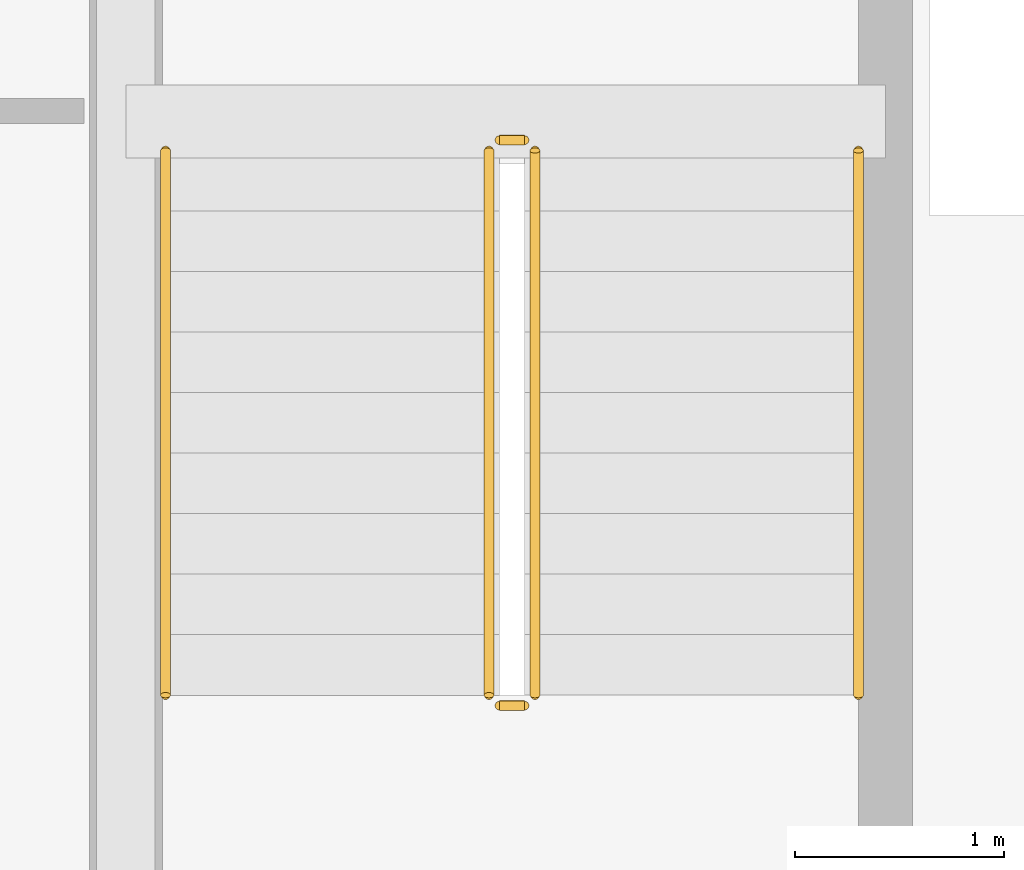
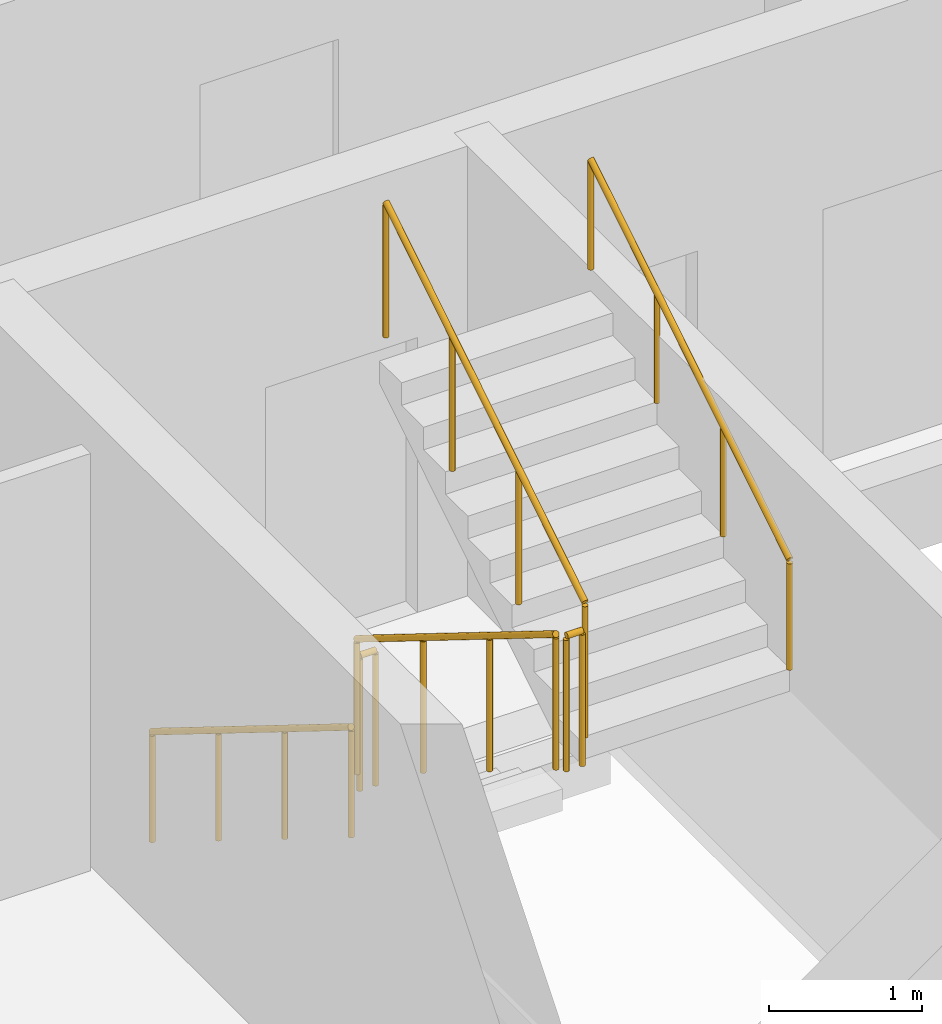
# One storey, part 18 of 22: 6 railings.
"""IFC4 building model written with IfcOpenShell, lengths in metres."""

from ifc_helpers import new_model, si_unit, direction, frame, origin, origin_2d, place, context, subcontext, project, spatial, circle, extrude, material, type_object, element, save


model = new_model("IFC4")

# Units and contexts
model_context = context("Model", 3, precision=1e-05, world=origin(), true_north=direction((0.0, 1.0)))
body_context = subcontext(model_context, "Body", "Model", "MODEL_VIEW")
ifc_project = project(units=[si_unit("LENGTHUNIT", "METRE"), si_unit("AREAUNIT", "SQUARE_METRE"), si_unit("VOLUMEUNIT", "CUBIC_METRE"), si_unit("PLANEANGLEUNIT", "RADIAN"), si_unit("MASSUNIT", "GRAM", prefix="KILO")], contexts=[model_context])

# Site, building, storey
site_placement = place(None, origin())
site = spatial("IfcSite", under=ifc_project, at=site_placement, CompositionType="ELEMENT")
building_placement = place(site_placement, origin())
building = spatial("IfcBuilding", under=site, at=building_placement, Name="Vharandega Faculty of Natural Sciences", CompositionType="ELEMENT")
storey_placement = place(building_placement, frame((0.0, 0.0, 28.800048828125)))
storey = spatial("IfcBuildingStorey", under=building, at=storey_placement, Name="L07", CompositionType="ELEMENT", Elevation=28.800048828125)

# Railings
ifc_material_1 = material(Name="Brushed stainless steel handrail", Category="steel")
railing_type_1 = type_object("IfcRailingType", Name="Stair Tubular Handrail 900", PredefinedType="HANDRAIL", material=ifc_material_1)
railing_1_placement = place(storey_placement, frame((32.18994140625, 46.2099609375, 0.179931640625)))
element("IfcRailing", 1, at=railing_1_placement, inside=storey, type_object=railing_type_1, Name="L07 ST3 stair handrail 1", PredefinedType="HANDRAIL", context=body_context, shape_type="SweptSolid", body=[
    extrude(circle(Radius=0.02392578125, at=origin_2d()), frame((0.0, 0.0, 0.8759765625), z_axis=(0.0, -0.849610693518, 0.52741034258), x_axis=(1.0, 0.0, 0.0)), (0.0, 0.0, 1.0), 3.07177734375),
    extrude(circle(Radius=0.02099609375, at=origin_2d()), origin(), (0.0, 0.0, 1.0), 0.851806640625),
    extrude(circle(Radius=0.02099609375, at=origin_2d()), frame((0.0, -0.869873046875, 0.5400390625)), (0.0, 0.0, 1.0), 0.851806640625),
    extrude(circle(Radius=0.02099609375, at=origin_2d()), frame((0.0, -1.739990234375, 1.080078125)), (0.0, 0.0, 1.0), 0.851806640625),
    extrude(circle(Radius=0.02099609375, at=origin_2d()), frame((0.0, -2.60986328125, 1.6201171875)), (0.0, 0.0, 1.0), 0.851806640625),
])
railing_2_placement = place(storey_placement, frame((35.510009765625, 43.60009765625, 1.97998046875)))
element("IfcRailing", 2, at=railing_2_placement, inside=storey, type_object=railing_type_1, Name="L07 ST3 stair handrail 2", PredefinedType="HANDRAIL", context=body_context, shape_type="SweptSolid", body=[
    extrude(circle(Radius=0.02392578125, at=origin_2d()), frame((0.0, 0.0, 0.8759765625), z_axis=(0.0, 0.849646306263, 0.527352969322), x_axis=(-1.0, 0.0, 0.0)), (0.0, 0.0, 1.0), 3.07177734375),
    extrude(circle(Radius=0.02099609375, at=origin_2d()), origin(), (0.0, 0.0, 1.0), 0.851806640625),
    extrude(circle(Radius=0.02099609375, at=origin_2d()), frame((0.0, 0.869873046875, 0.5400390625)), (0.0, 0.0, 1.0), 0.851806640625),
    extrude(circle(Radius=0.02099609375, at=origin_2d()), frame((0.0, 1.739990234375, 1.079833984375)), (0.0, 0.0, 1.0), 0.851806640625),
    extrude(circle(Radius=0.02099609375, at=origin_2d()), frame((0.0, 2.60986328125, 1.619873046875)), (0.0, 0.0, 1.0), 0.851806640625),
])
ifc_material_2 = material(Name="Painted steel stair guardrail", Category="steel")
railing_type_2 = type_object("IfcRailingType", Name="Stairwell Steel Guardrail 1100", PredefinedType="GUARDRAIL", material=ifc_material_2)
railing_3_placement = place(storey_placement, frame((33.739990234375, 46.2099609375, 0.179931640625)))
element("IfcRailing", 3, at=railing_3_placement, inside=storey, type_object=railing_type_2, Name="L07 ST3 stair guard 1", PredefinedType="GUARDRAIL", context=body_context, shape_type="SweptSolid", body=[
    extrude(circle(Radius=0.02392578125, at=origin_2d()), frame((0.0, 0.0, 1.076171875), z_axis=(0.0, -0.849610693518, 0.52741034258), x_axis=(1.0, 0.0, 0.0)), (0.0, 0.0, 1.0), 3.07177734375),
    extrude(circle(Radius=0.02099609375, at=origin_2d()), origin(), (0.0, 0.0, 1.0), 1.052001953125),
    extrude(circle(Radius=0.02099609375, at=origin_2d()), frame((0.0, -0.869873046875, 0.5400390625)), (0.0, 0.0, 1.0), 1.052001953125),
    extrude(circle(Radius=0.02099609375, at=origin_2d()), frame((0.0, -1.739990234375, 1.080078125)), (0.0, 0.0, 1.0), 1.052001953125),
    extrude(circle(Radius=0.02099609375, at=origin_2d()), frame((0.0, -2.60986328125, 1.6201171875)), (0.0, 0.0, 1.0), 1.052001953125),
])
railing_4_placement = place(storey_placement, frame((33.7900390625, 43.550048828125, 1.800048828125)))
element("IfcRailing", 4, at=railing_4_placement, inside=storey, type_object=railing_type_2, Name="L07 ST3 stair guard 2", PredefinedType="GUARDRAIL", context=body_context, shape_type="SweptSolid", body=[
    extrude(circle(Radius=0.02392578125, at=origin_2d()), frame((0.0, 0.0, 1.076171875), z_axis=(1.0, 0.0, 0.0), x_axis=(0.0, 1.0, 0.0)), (0.0, 0.0, 1.0), 0.119873046875),
    extrude(circle(Radius=0.02099609375, at=origin_2d()), origin(), (0.0, 0.0, 1.0), 1.052001953125),
    extrude(circle(Radius=0.02099609375, at=origin_2d()), frame((0.119873046875, 0.0, 0.0)), (0.0, 0.0, 1.0), 1.052001953125),
])
railing_5_placement = place(storey_placement, frame((33.9599609375, 43.60009765625, 1.97998046875)))
element("IfcRailing", 5, at=railing_5_placement, inside=storey, type_object=railing_type_2, Name="L07 ST3 stair guard 3", PredefinedType="GUARDRAIL", context=body_context, shape_type="SweptSolid", body=[
    extrude(circle(Radius=0.02392578125, at=origin_2d()), frame((0.0, 0.0, 1.076171875), z_axis=(0.0, 0.849646306263, 0.527352969322), x_axis=(-1.0, 0.0, 0.0)), (0.0, 0.0, 1.0), 3.07177734375),
    extrude(circle(Radius=0.02099609375, at=origin_2d()), origin(), (0.0, 0.0, 1.0), 1.052001953125),
    extrude(circle(Radius=0.02099609375, at=origin_2d()), frame((0.0, 0.869873046875, 0.5400390625)), (0.0, 0.0, 1.0), 1.052001953125),
    extrude(circle(Radius=0.02099609375, at=origin_2d()), frame((0.0, 1.739990234375, 1.079833984375)), (0.0, 0.0, 1.0), 1.052001953125),
    extrude(circle(Radius=0.02099609375, at=origin_2d()), frame((0.0, 2.60986328125, 1.619873046875)), (0.0, 0.0, 1.0), 1.052001953125),
])
railing_6_placement = place(storey_placement, frame((33.7900390625, 46.260009765625, 0.0)))
element("IfcRailing", 6, at=railing_6_placement, inside=storey, type_object=railing_type_2, Name="L07 ST3 stair guard 4", PredefinedType="GUARDRAIL", context=body_context, shape_type="SweptSolid", body=[
    extrude(circle(Radius=0.02392578125, at=origin_2d()), frame((0.0, 0.0, 1.076171875), z_axis=(1.0, 0.0, 0.0), x_axis=(0.0, 1.0, 0.0)), (0.0, 0.0, 1.0), 0.119873046875),
    extrude(circle(Radius=0.02099609375, at=origin_2d()), origin(), (0.0, 0.0, 1.0), 1.052001953125),
    extrude(circle(Radius=0.02099609375, at=origin_2d()), frame((0.119873046875, 0.0, 0.0)), (0.0, 0.0, 1.0), 1.052001953125),
])

save(model, "model.ifc")
